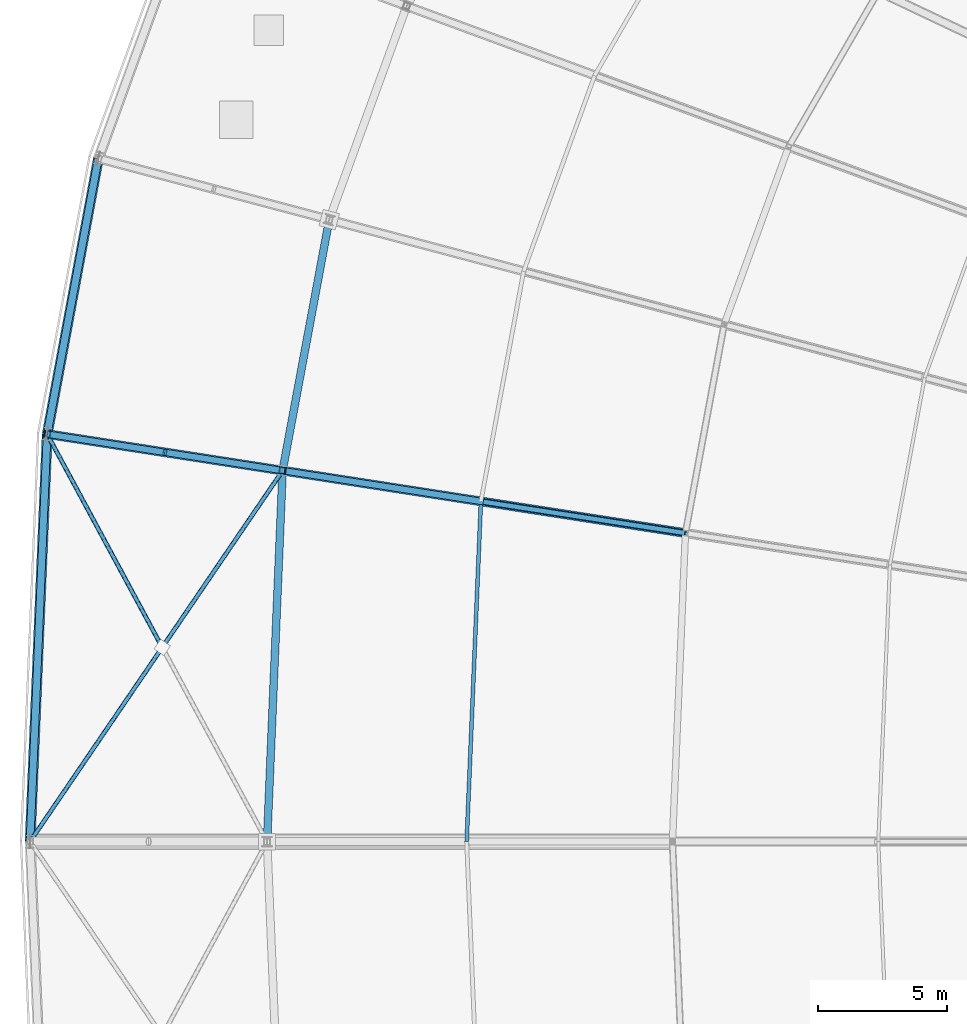
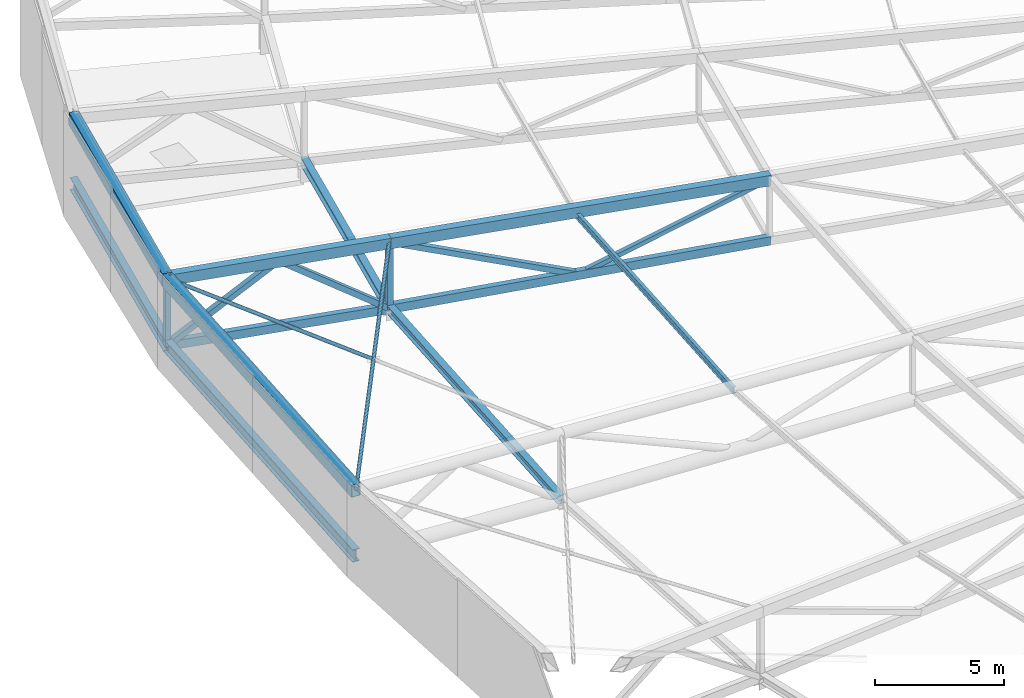
# One storey, part 41 of 143: 10 beams, 9 members.
"""IFC4 building model written with IfcOpenShell, lengths in metres."""

from ifc_helpers import new_model, si_unit, direction, frame, origin, origin_2d, place, context, subcontext, project, spatial, hollow_rectangle, hollow_circle, i_section, extrude, material, material_profile, profile_set, type_object, element, save


model = new_model("IFC4")

# Units and contexts
model_context = context("Model", 3, precision=1e-05, world=origin(), true_north=direction((0.0, 1.0)))
body_context = subcontext(model_context, "Body", "Model", "MODEL_VIEW")
ifc_project = project(units=[si_unit("LENGTHUNIT", "METRE"), si_unit("AREAUNIT", "SQUARE_METRE"), si_unit("VOLUMEUNIT", "CUBIC_METRE"), si_unit("PLANEANGLEUNIT", "RADIAN"), si_unit("MASSUNIT", "GRAM", prefix="KILO")], contexts=[model_context])

# Site, building, storey
site_placement = place(None, origin())
site = spatial("IfcSite", under=ifc_project, at=site_placement, CompositionType="ELEMENT")
building_placement = place(site_placement, origin())
building = spatial("IfcBuilding", under=site, at=building_placement, Name="Mphavela Belvedere Stadium", CompositionType="ELEMENT")
storey_placement = place(building_placement, frame((0.0, 0.0, 28.800048828125)))
storey = spatial("IfcBuildingStorey", under=building, at=storey_placement, Name="RF", CompositionType="ELEMENT", Elevation=28.800048828125)

# Beams
ifc_material_1 = material(Name="Steel S355", Category="steel")
ifc_material_profile_1 = material_profile(ifc_material_1, hollow_rectangle(XDim=0.39990234375, YDim=0.60009765625, WallThickness=0.02001953125, at=origin_2d()), Name="RHS 600x400x20")
ifc_profile_set_1 = profile_set([ifc_material_profile_1], Name="Steel S355")
beam_type_1 = type_object("IfcBeamType", Name="BM-RING-OUT", PredefinedType="BEAM", material=ifc_profile_set_1)
beam_1_placement = place(storey_placement, frame((14.83544921875, 113.5625, 4.649169921875), z_axis=(-0.182465993272, -0.98222864974, -0.043966361346), x_axis=(0.983179372393, -0.18264260648, 0.0)))
element("IfcBeam", 1, at=beam_1_placement, inside=storey, type_object=beam_type_1, Name="Perimeter compression ring beam RB-OUT-23", PredefinedType="BEAM", context=body_context, shape_type="SweptSolid", body=[
    extrude(hollow_rectangle(XDim=0.39990234375, YDim=0.60009765625, WallThickness=0.02001953125, at=origin_2d()), origin(), (0.0, 0.0, 1.0), 10.911376953125),
])
beam_2_placement = place(storey_placement, frame((12.844482421875, 102.844970703125, 4.16943359375), z_axis=(-0.04190173434, -0.999068501255, -0.010313799415), x_axis=(0.999121643181, -0.041903963155, 0.0)))
element("IfcBeam", 2, at=beam_2_placement, inside=storey, type_object=beam_type_1, Name="Perimeter compression ring beam RB-OUT-24", PredefinedType="BEAM", context=body_context, shape_type="SweptSolid", body=[
    extrude(hollow_rectangle(XDim=0.39990234375, YDim=0.60009765625, WallThickness=0.02001953125, at=origin_2d()), origin(), (0.0, 0.0, 1.0), 15.85986328125),
])
ifc_material_2 = material(Name="Steel S355", Category="steel")
ifc_material_profile_2 = material_profile(ifc_material_2, i_section(OverallWidth=0.300048828125, OverallDepth=0.39990234375, WebThickness=0.013427734375, FlangeThickness=0.02392578125, at=origin_2d()), Name="HEB 400")
ifc_profile_set_2 = profile_set([ifc_material_profile_2], Name="Steel S355")
beam_type_2 = type_object("IfcBeamType", Name="BM-STEEL-HEB400", PredefinedType="BEAM", material=ifc_profile_set_2)
beam_3_placement = place(storey_placement, frame((23.8125, 111.181884765625, 0.916748046875), z_axis=(-0.182461823347, -0.982231515362, -0.043919622619), x_axis=(0.983180217585, -0.182638056683, 0.0)))
element("IfcBeam", 3, at=beam_3_placement, inside=storey, type_object=beam_type_2, Name="Roof bottom-chord tie girder R3-23", PredefinedType="BEAM", context=body_context, shape_type="SweptSolid", body=[
    extrude(i_section(OverallWidth=0.300048828125, OverallDepth=0.39990234375, WebThickness=0.013427734375, FlangeThickness=0.02392578125, at=origin_2d()), origin(), (0.0, 0.0, 1.0), 9.93359375),
])
beam_4_placement = place(storey_placement, frame((22.0, 101.4248046875, 0.48046875), z_axis=(-0.041901221603, -0.999068513802, -0.010314667142), x_axis=(0.99912166467, -0.041903450766, 0.0)))
element("IfcBeam", 4, at=beam_4_placement, inside=storey, type_object=beam_type_2, Name="Roof bottom-chord tie girder R3-24", PredefinedType="BEAM", context=body_context, shape_type="SweptSolid", body=[
    extrude(i_section(OverallWidth=0.300048828125, OverallDepth=0.39990234375, WebThickness=0.013427734375, FlangeThickness=0.02392578125, at=origin_2d()), origin(), (0.0, 0.0, 1.0), 14.438232421875),
])
ifc_material_3 = material(Name="Steel S355", Category="steel")
ifc_material_profile_3 = material_profile(ifc_material_3, i_section(OverallWidth=0.300048828125, OverallDepth=0.60009765625, WebThickness=0.015380859375, FlangeThickness=0.030029296875, at=origin_2d()), Name="HEB 600")
ifc_profile_set_3 = profile_set([ifc_material_profile_3], Name="Steel S355")
beam_type_3 = type_object("IfcBeamType", Name="BM-STEEL-HEB600", PredefinedType="BEAM", material=ifc_profile_set_3)
beam_5_placement = place(storey_placement, frame((14.83544921875, 113.5625, 1.553955078125), z_axis=(-0.182466172724, -0.982229615749, -0.043944029826), x_axis=(0.983179372393, -0.18264260648, 0.0)))
element("IfcBeam", 5, at=beam_5_placement, inside=storey, type_object=beam_type_3, Name="Roof bottom-chord tie girder R4-23", PredefinedType="BEAM", context=body_context, shape_type="SweptSolid", body=[
    extrude(i_section(OverallWidth=0.300048828125, OverallDepth=0.60009765625, WebThickness=0.015380859375, FlangeThickness=0.030029296875, at=origin_2d()), origin(), (0.0, 0.0, 1.0), 10.911376953125),
])
beam_6_placement = place(storey_placement, frame((12.844482421875, 102.844970703125, 1.074462890625), z_axis=(-0.04190173434, -0.999068501255, -0.010313799415), x_axis=(0.999121643181, -0.041903963155, 0.0)))
element("IfcBeam", 6, at=beam_6_placement, inside=storey, type_object=beam_type_3, Name="Roof bottom-chord tie girder R4-24", PredefinedType="BEAM", context=body_context, shape_type="SweptSolid", body=[
    extrude(i_section(OverallWidth=0.300048828125, OverallDepth=0.60009765625, WebThickness=0.015380859375, FlangeThickness=0.030029296875, at=origin_2d()), origin(), (0.0, 0.0, 1.0), 15.85986328125),
])
ifc_material_4 = material(Name="Steel S355", Category="steel")
ifc_material_profile_4 = material_profile(ifc_material_4, hollow_rectangle(XDim=0.25, YDim=0.39990234375, WallThickness=0.01611328125, at=origin_2d()), Name="RHS 400x250x16")
ifc_profile_set_4 = profile_set([ifc_material_profile_4], Name="Steel S355")
beam_type_4 = type_object("IfcBeamType", Name="BM-TRUSS-BC2", PredefinedType="BEAM", material=ifc_profile_set_4)
beam_7_placement = place(storey_placement, frame((12.844482421875, 102.844970703125, 1.074462890625), z_axis=(0.986157749242, -0.152968710897, -0.063980208632), x_axis=(0.153282761586, 0.988182369303, 0.0)))
element("IfcBeam", 7, at=beam_7_placement, inside=storey, type_object=beam_type_4, Name="Radial roof truss RT-24 bottom chord 1", PredefinedType="BEAM", context=body_context, shape_type="SweptSolid", body=[
    extrude(hollow_rectangle(XDim=0.25, YDim=0.39990234375, WallThickness=0.01611328125, at=origin_2d()), origin(), (0.0, 0.0, 1.0), 9.283935546875),
])
beam_8_placement = place(storey_placement, frame((22.0, 101.4248046875, 0.48046875), z_axis=(0.9870314816, -0.153087896524, -0.048300623901), x_axis=(0.153266782809, 0.988184847732, 0.0)))
element("IfcBeam", 8, at=beam_8_placement, inside=storey, type_object=beam_type_4, Name="Radial roof truss RT-24 bottom chord 2", PredefinedType="BEAM", context=body_context, shape_type="SweptSolid", body=[
    extrude(hollow_rectangle(XDim=0.25, YDim=0.39990234375, WallThickness=0.01611328125, at=origin_2d()), origin(), (0.0, 0.0, 1.0), 15.866455078125),
])
ifc_material_5 = material(Name="Steel S355", Category="steel")
ifc_material_profile_5 = material_profile(ifc_material_5, hollow_rectangle(XDim=0.35009765625, YDim=0.5, WallThickness=0.02001953125, at=origin_2d()), Name="RHS 500x350x20")
ifc_profile_set_5 = profile_set([ifc_material_profile_5], Name="Steel S355")
beam_type_5 = type_object("IfcBeamType", Name="BM-TRUSS-TC2", PredefinedType="BEAM", material=ifc_profile_set_5)
beam_9_placement = place(storey_placement, frame((12.844482421875, 102.844970703125, 4.224609375), z_axis=(0.986156089717, -0.152968453478, -0.064006397759), x_axis=(0.153282761586, 0.988182369303, 0.0)))
element("IfcBeam", 9, at=beam_9_placement, inside=storey, type_object=beam_type_5, Name="Radial roof truss RT-24 top chord 1", PredefinedType="BEAM", context=body_context, shape_type="SweptSolid", body=[
    extrude(hollow_rectangle(XDim=0.35009765625, YDim=0.5, WallThickness=0.02001953125, at=origin_2d()), origin(), (0.0, 0.0, 1.0), 9.283935546875),
])
beam_10_placement = place(storey_placement, frame((22.0, 101.4248046875, 3.63037109375), z_axis=(0.986158933324, -0.152952564893, -0.064000555599), x_axis=(0.153266782809, 0.988184847732, 0.0)))
element("IfcBeam", 10, at=beam_10_placement, inside=storey, type_object=beam_type_5, Name="Radial roof truss RT-24 top chord 2", PredefinedType="BEAM", context=body_context, shape_type="SweptSolid", body=[
    extrude(hollow_rectangle(XDim=0.35009765625, YDim=0.5, WallThickness=0.02001953125, at=origin_2d()), origin(), (0.0, 0.0, 1.0), 15.88037109375),
])

# Members
ifc_material_6 = material(Name="Steel S355", Category="steel")
ifc_material_profile_6 = material_profile(ifc_material_6, hollow_rectangle(XDim=0.199951171875, YDim=0.199951171875, WallThickness=0.010009765625, at=origin_2d()), Name="SHS 200x200x10")
ifc_profile_set_6 = profile_set([ifc_material_profile_6], Name="Steel S355")
member_type_1 = type_object("IfcMemberType", Name="MEM-POST-SHS200", PredefinedType="POST", material=ifc_profile_set_6)
member_1_placement = place(storey_placement, frame((29.830322265625, 100.21044921875, 0.09716796875), z_axis=(0.94181610483, -0.146089705407, 0.302721361416), x_axis=(0.153281826121, 0.988182514408, 0.0)))
element("IfcMember", 11, at=member_1_placement, inside=storey, type_object=member_type_1, Name="Radial roof truss RT-24 web diagonal D4", PredefinedType="POST", context=body_context, shape_type="SweptSolid", body=[
    extrude(hollow_rectangle(XDim=0.199951171875, YDim=0.199951171875, WallThickness=0.010009765625, at=origin_2d()), origin(), (0.0, 0.0, 1.0), 8.31396484375),
])
ifc_material_7 = material(Name="Steel S355", Category="steel")
ifc_material_profile_7 = material_profile(ifc_material_7, hollow_rectangle(XDim=0.25, YDim=0.25, WallThickness=0.012451171875, at=origin_2d()), Name="SHS 250x250x12.5")
ifc_profile_set_7 = profile_set([ifc_material_profile_7], Name="Steel S355")
member_type_2 = type_object("IfcMemberType", Name="MEM-POST-SHS250", PredefinedType="POST", material=ifc_profile_set_7)
member_2_placement = place(storey_placement, frame((12.844482421875, 102.844970703125, 1.074462890625), z_axis=(0.0, 0.0, 1.0), x_axis=(-0.98817491911, 0.153330783737, 0.0)))
element("IfcMember", 12, at=member_2_placement, inside=storey, type_object=member_type_2, Name="Radial roof truss RT-24 post P1", PredefinedType="POST", context=body_context, shape_type="SweptSolid", body=[
    extrude(hollow_rectangle(XDim=0.25, YDim=0.25, WallThickness=0.012451171875, at=origin_2d()), origin(), (0.0, 0.0, 1.0), 3.150146484375),
])
member_3_placement = place(storey_placement, frame((22.0, 101.4248046875, 0.48046875), z_axis=(0.0, 0.0, 1.0), x_axis=(-0.98817491911, 0.153330783737, 0.0)))
element("IfcMember", 13, at=member_3_placement, inside=storey, type_object=member_type_2, Name="Radial roof truss RT-24 post P2", PredefinedType="POST", context=body_context, shape_type="SweptSolid", body=[
    extrude(hollow_rectangle(XDim=0.25, YDim=0.25, WallThickness=0.012451171875, at=origin_2d()), origin(), (0.0, 0.0, 1.0), 3.14990234375),
])
member_4_placement = place(storey_placement, frame((12.844482421875, 102.844970703125, 1.074462890625), z_axis=(0.841419827389, -0.130491646208, 0.5243897447), x_axis=(0.153253039077, 0.988186979277, 0.0)))
element("IfcMember", 14, at=member_4_placement, inside=storey, type_object=member_type_2, Name="Radial roof truss RT-24 web diagonal D1", PredefinedType="POST", context=body_context, shape_type="SweptSolid", body=[
    extrude(hollow_rectangle(XDim=0.25, YDim=0.25, WallThickness=0.012451171875, at=origin_2d()), origin(), (0.0, 0.0, 1.0), 5.440673828125),
])
member_5_placement = place(storey_placement, frame((17.42236328125, 102.135009765625, 3.927490234375), z_axis=(0.79277750949, -0.122996788006, -0.596972035013), x_axis=(0.153312485264, 0.988177758231, 0.0)))
element("IfcMember", 15, at=member_5_placement, inside=storey, type_object=member_type_2, Name="Radial roof truss RT-24 web diagonal D2", PredefinedType="POST", context=body_context, shape_type="SweptSolid", body=[
    extrude(hollow_rectangle(XDim=0.25, YDim=0.25, WallThickness=0.012451171875, at=origin_2d()), origin(), (0.0, 0.0, 1.0), 5.774169921875),
])
member_6_placement = place(storey_placement, frame((22.0, 101.4248046875, 3.63037109375), z_axis=(0.902531841022, -0.139967991059, -0.407241006556), x_axis=(0.153251739391, 0.988187180839, 0.0)))
element("IfcMember", 16, at=member_6_placement, inside=storey, type_object=member_type_2, Name="Radial roof truss RT-24 web diagonal D3", PredefinedType="POST", context=body_context, shape_type="SweptSolid", body=[
    extrude(hollow_rectangle(XDim=0.25, YDim=0.25, WallThickness=0.012451171875, at=origin_2d()), origin(), (0.0, 0.0, 1.0), 8.676025390625),
])
ifc_material_8 = material(Name="Steel S355", Category="steel")
ifc_material_profile_8 = material_profile(ifc_material_8, i_section(OverallWidth=0.14990234375, OverallDepth=0.300048828125, WebThickness=0.007080078125, FlangeThickness=0.0107421875, at=origin_2d()), Name="IPE 300")
ifc_profile_set_8 = profile_set([ifc_material_profile_8], Name="Steel S355")
member_type_3 = type_object("IfcMemberType", Name="MEM-PURLIN-IPE300", PredefinedType="PURLIN", material=ifc_profile_set_8)
member_7_placement = place(storey_placement, frame((29.7099609375, 100.22900390625, 2.93994140625), z_axis=(-0.041909020321, -0.999068268854, -0.010306705833), x_axis=(0.999121337686, -0.041911246458, 0.0)))
element("IfcMember", 17, at=member_7_placement, inside=storey, type_object=member_type_3, Name="Saddle canopy steel purlin 24-2", PredefinedType="PURLIN", context=body_context, shape_type="SweptSolid", body=[
    extrude(i_section(OverallWidth=0.14990234375, OverallDepth=0.300048828125, WebThickness=0.007080078125, FlangeThickness=0.0107421875, at=origin_2d()), origin(), (0.0, 0.0, 1.0), 13.241455078125),
])
ifc_material_9 = material(Name="Steel S355", Category="steel")
ifc_material_profile_9 = material_profile(ifc_material_9, hollow_circle(Radius=0.084228515625, WallThickness=0.010009765625, at=origin_2d()), Name="CHS 168.3x10")
ifc_profile_set_9 = profile_set([ifc_material_profile_9], Name="Steel S355")
member_type_4 = type_object("IfcMemberType", Name="MEM-ROOF-XBRACE", PredefinedType="BRACE", material=ifc_profile_set_9)
member_8_placement = place(storey_placement, frame((22.0, 101.4248046875, 3.63037109375), z_axis=(-0.562577571811, -0.826376283542, 0.024672123827), x_axis=(0.826627911705, -0.562748874357, 0.0)))
element("IfcMember", 18, at=member_8_placement, inside=storey, type_object=member_type_4, Name="Roof diaphragm continuous X-brace A 24", PredefinedType="BRACE", context=body_context, shape_type="SweptSolid", body=[
    extrude(hollow_circle(Radius=0.084228515625, WallThickness=0.010009765625, at=origin_2d()), origin(), (0.0, 0.0, 1.0), 17.45556640625),
])
member_9_placement = place(storey_placement, frame((12.844482421875, 102.844970703125, 4.224609375), z_axis=(0.474495477392, -0.879290615471, -0.04125597507), x_axis=(0.88003987277, 0.474899802416, 0.0)))
element("IfcMember", 19, at=member_9_placement, inside=storey, type_object=member_type_4, Name="Roof diaphragm split X-brace B1 24", PredefinedType="BRACE", context=body_context, shape_type="SweptSolid", body=[
    extrude(hollow_circle(Radius=0.084228515625, WallThickness=0.010009765625, at=origin_2d()), origin(), (0.0, 0.0, 1.0), 9.432861328125),
])

save(model, "model.ifc")
